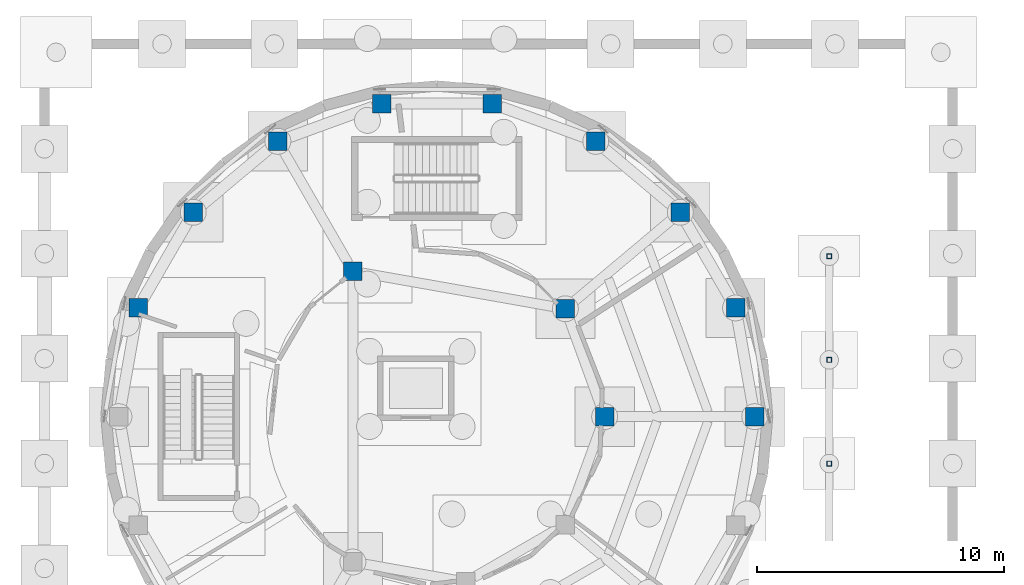
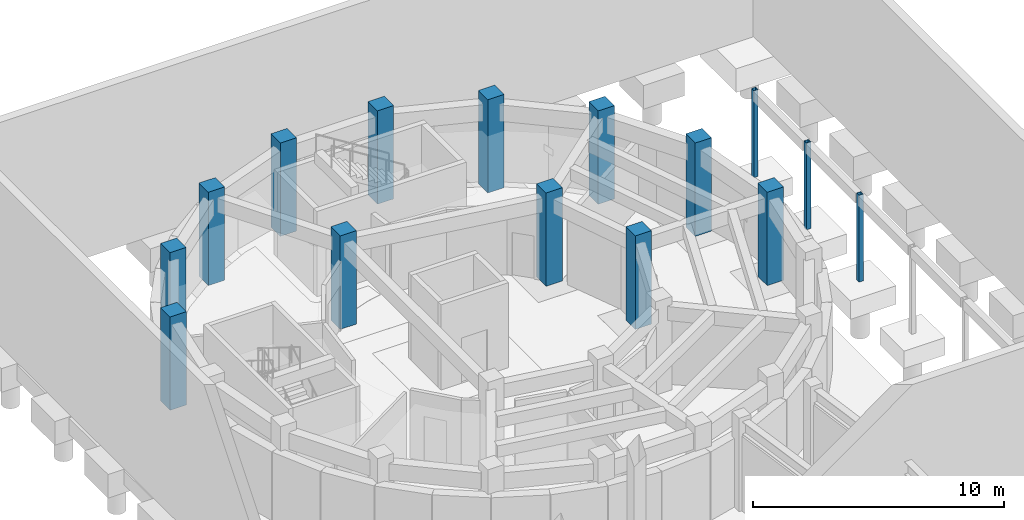
# One storey, part 12 of 57: 15 columns.
"""IFC4 building model written with IfcOpenShell, lengths in metres."""

from ifc_helpers import new_model, si_unit, direction, frame, origin, origin_2d, place, context, subcontext, project, spatial, rectangle, hollow_rectangle, extrude, material, material_profile, profile_set, type_object, element, save


model = new_model("IFC4")

# Units and contexts
model_context = context("Model", 3, precision=1e-05, world=origin(), true_north=direction((0.0, 1.0)))
body_context = subcontext(model_context, "Body", "Model", "MODEL_VIEW")
ifc_project = project(units=[si_unit("LENGTHUNIT", "METRE"), si_unit("AREAUNIT", "SQUARE_METRE"), si_unit("VOLUMEUNIT", "CUBIC_METRE"), si_unit("PLANEANGLEUNIT", "RADIAN"), si_unit("MASSUNIT", "GRAM", prefix="KILO")], contexts=[model_context])

# Site, building, storey
site_placement = place(None, origin())
site = spatial("IfcSite", under=ifc_project, at=site_placement, CompositionType="ELEMENT")
building_placement = place(site_placement, origin())
building = spatial("IfcBuilding", under=site, at=building_placement, Name="Aldenvaro Health Centre", CompositionType="ELEMENT")
storey_placement = place(building_placement, frame((0.0, 0.0, -4.550048828125)))
storey = spatial("IfcBuildingStorey", under=building, at=storey_placement, Name="B1", CompositionType="ELEMENT", Elevation=-4.550048828125)

# Columns
ifc_material_1 = material(Name="Concrete f'c 40 MPa", Category="concrete")
ifc_material_profile_1 = material_profile(ifc_material_1, rectangle(XDim=0.75, YDim=0.75, at=origin_2d()), Name="RC 750x750", Category="concrete")
ifc_profile_set_1 = profile_set([ifc_material_profile_1], Name="Concrete f'c 40 MPa")
column_type_1 = type_object("IfcColumnType", Name="COL-RC-750", PredefinedType="COLUMN", material=ifc_profile_set_1)
for number, where, z_axis, x_axis, name in (
    (1, (31.3798828125, 99.5, 0.0), (0.0, 0.0, 1.0), (1.0, 0.0, 0.0), "D4 B1 column OUT-01"),
    (2, (30.60302734375, 103.905029296875, 0.0), (0.0, 0.0, 1.0), (1.0, 0.0, 0.0), "D4 B1 column OUT-02"),
    (3, (28.366943359375, 107.779052734375, 0.0), (0.0, 0.0, 1.0), (1.0, 0.0, 0.0), "D4 B1 column OUT-03"),
    (4, (24.93994140625, 110.654052734375, 0.0), (0.0, 0.0, 1.0), (1.0, 0.0, 0.0), "D4 B1 column OUT-04"),
    (5, (20.737060546875, 112.18408203125, 0.0), (0.0, 0.0, 1.0), (1.0, 0.0, 0.0), "D4 B1 column OUT-05"),
    (6, (16.262939453125, 112.18408203125, 0.0), (0.0, 0.0, 1.0), (1.0, 0.0, 0.0), "D4 B1 column OUT-06"),
    (7, (12.06005859375, 110.654052734375, 0.0), (0.0, 0.0, 1.0), (1.0, 0.0, 0.0), "D4 B1 column OUT-07"),
    (8, (8.633056640625, 107.779052734375, 0.0), (0.0, 0.0, 1.0), (1.0, 0.0, 0.0), "D4 B1 column OUT-08"),
    (9, (6.39697265625, 103.905029296875, 0.0), (0.0, 0.0, 1.0), (1.0, 0.0, 0.0), "D4 B1 column OUT-09"),
    (10, (25.300048828125, 99.5, 0.0), (0.0, 0.0, 1.0), (1.0, 0.0, 0.0), "D4 B1 column IN-01"),
    (11, (23.708984375, 103.87109375, 0.0), (0.0, 0.0, 1.0), (1.0, 0.0, 0.0), "D4 B1 column IN-02"),
    (12, (15.10009765625, 105.388916015625, 0.0), (0.0, 0.0, 1.0), (1.0, 0.0, 0.0), "D4 B1 column IN-03"),
):
    element("IfcColumn", number, at=place(storey_placement, frame(where, z_axis=z_axis, x_axis=x_axis)), inside=storey, type_object=column_type_1, Name=name, PredefinedType="COLUMN", context=body_context, shape_type="SweptSolid", body=[
        extrude(rectangle(XDim=0.75, YDim=0.75, at=origin_2d()), origin(), (0.0, 0.0, 1.0), 4.550048828125),
    ])
ifc_material_2 = material(Name="Steel ASTM A500 Grade C", Category="steel")
ifc_material_profile_2 = material_profile(ifc_material_2, hollow_rectangle(XDim=0.199951171875, YDim=0.199951171875, WallThickness=0.011962890625, at=origin_2d()), Name="HSS200X200X12", Category="steel")
ifc_profile_set_2 = profile_set([ifc_material_profile_2], Name="Steel ASTM A500 Grade C")
column_type_2 = type_object("IfcColumnType", Name="COL-ST-HSS200", PredefinedType="COLUMN", material=ifc_profile_set_2)
for number, where, z_axis, x_axis, name in (
    (13, (34.39990234375, 97.60009765625, 0.0), (0.0, 0.0, 1.0), (1.0, 0.0, 0.0), "Garden Rond-Point Substructure Pier 4"),
    (14, (34.39990234375, 101.800048828125, 0.0), (0.0, 0.0, 1.0), (1.0, 0.0, 0.0), "Garden Rond-Point Substructure Pier 5"),
):
    element("IfcColumn", number, at=place(storey_placement, frame(where, z_axis=z_axis, x_axis=x_axis)), inside=storey, type_object=column_type_2, Name=name, PredefinedType="COLUMN", context=body_context, shape_type="SweptSolid", body=[
        extrude(hollow_rectangle(XDim=0.199951171875, YDim=0.199951171875, WallThickness=0.011962890625, at=origin_2d()), origin(), (0.0, 0.0, 1.0), 4.22998046875),
    ])
ifc_material_profile_3 = material_profile(ifc_material_2, hollow_rectangle(XDim=0.199951171875, YDim=0.199951171875, WallThickness=0.011962890625, at=origin_2d()), Name="HSS200X200X12", Category="steel")
ifc_profile_set_3 = profile_set([ifc_material_profile_3], Name="Steel ASTM A500 Grade C")
column_type_3 = type_object("IfcColumnType", Name="COL-ST-HSS200I", PredefinedType="COLUMN", material=ifc_profile_set_3)
column_placement = place(storey_placement, frame((34.39990234375, 106.0, 0.0), z_axis=(0.0, 0.0, 1.0), x_axis=(1.0, 0.0, 0.0)))
element("IfcColumn", 15, at=column_placement, inside=storey, type_object=column_type_3, Name="Garden Rond-Point Substructure Pier 6", PredefinedType="COLUMN", context=body_context, shape_type="SweptSolid", body=[
    extrude(hollow_rectangle(XDim=0.199951171875, YDim=0.199951171875, WallThickness=0.011962890625, at=origin_2d()), origin(), (0.0, 0.0, 1.0), 4.22998046875),
])

save(model, "model.ifc")
